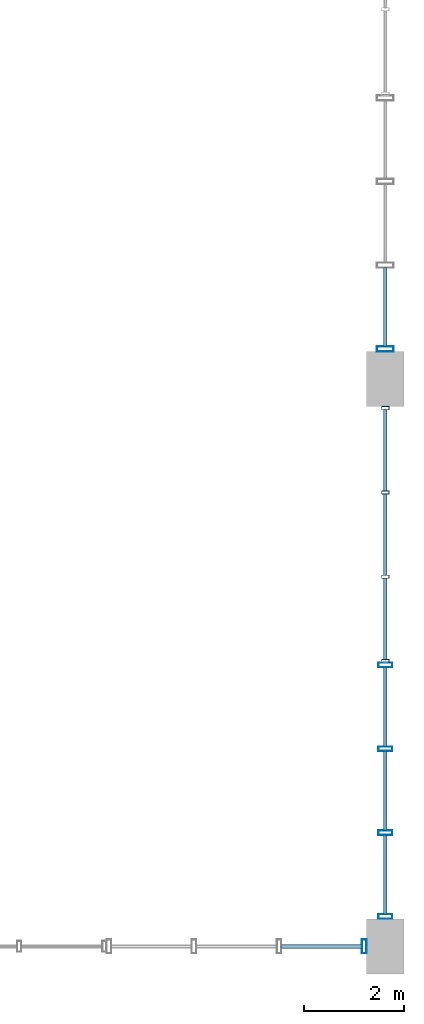
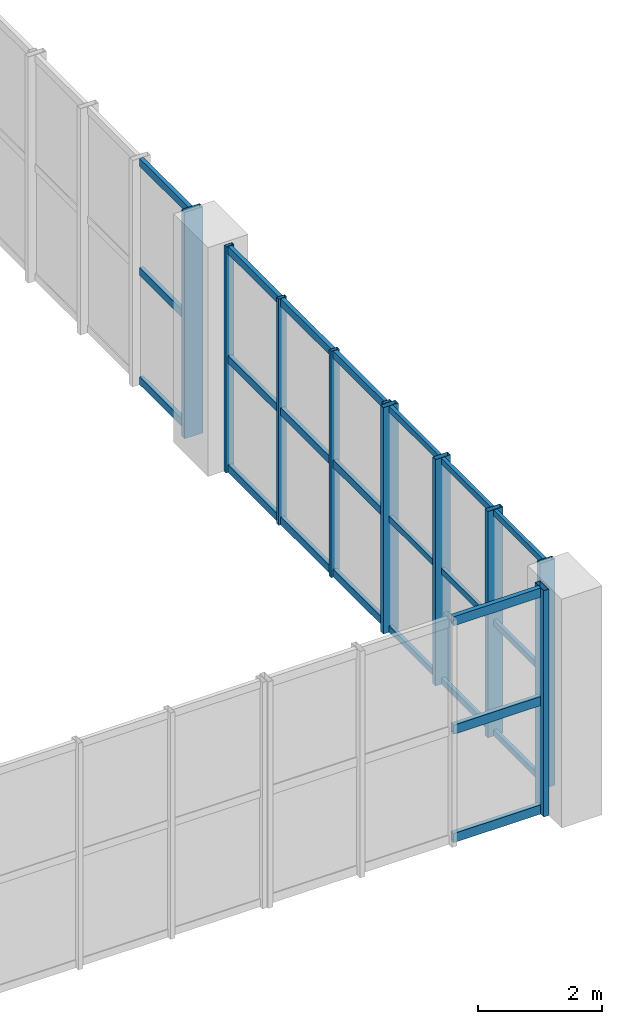
# One storey, part 21 of 48: 34 members, 4 elements without a shape of their own.
"""IFC4 building model written with IfcOpenShell, lengths in metres."""

import ifcopenshell
import ifcopenshell.guid

model = None  # the IFC model being written
_history = None  # IfcOwnerHistory: only IFC2X3 demands one
_inside = {}  # id of a spatial element -> (the spatial element, [elements in it])
_under = {}  # id of a project, library or spatial element -> (it, [spatial elements below it])
_declared = {}  # id of a project -> (the project, [libraries it declares])
_typed = {}  # id of a type object -> (the type object, [elements of that type])
_made_of = {}  # id of a material, layer set ... -> (it, [elements and type objects made of it])


def new_model(schema):
    """Start an empty IFC model of exactly this schema.

    Asked for "IFC4X3", IfcOpenShell would pick the latest addendum, in which some entities
    have other attributes; the version numbers below select the first issue.
    IFC2X3 requires an IfcOwnerHistory on every rooted entity: one is made here for all.
    """
    global model, _history
    if schema == "IFC4X3":
        model = ifcopenshell.file(schema_version=(4, 3, 0, 0))
    else:
        model = ifcopenshell.file(schema=schema)
    _inside.clear()
    _under.clear()
    _declared.clear()
    _typed.clear()
    _made_of.clear()
    _history = None
    if model.schema == "IFC2X3":
        org = make("IfcOrganization", Name="unknown")
        user = make(
            "IfcPersonAndOrganization",
            ThePerson=make("IfcPerson", FamilyName="unknown"),
            TheOrganization=org,
        )
        app = make(
            "IfcApplication",
            ApplicationDeveloper=org,
            Version="unknown",
            ApplicationFullName="unknown",
            ApplicationIdentifier="unknown",
        )
        _history = make(
            "IfcOwnerHistory",
            OwningUser=user,
            OwningApplication=app,
            ChangeAction="ADDED",
            CreationDate=0,
        )
    return model


def make(cls, **values):
    """One entity of the class cls with the attributes given. An attribute that is None is left unset."""
    return model.create_entity(
        cls, **{name: value for name, value in values.items() if value is not None}
    )


def rooted(cls, **values):
    """An entity with a GlobalId (a new one), such as an element, a storey or a relation."""
    return make(cls, GlobalId=ifcopenshell.guid.new(), OwnerHistory=_history, **values)


def si_unit(unit_type, name, prefix=None):
    """IfcSIUnit, for example si_unit("LENGTHUNIT", "METRE", prefix="MILLI")."""
    return make("IfcSIUnit", UnitType=unit_type, Prefix=prefix, Name=name)


def assignment(units):
    """IfcUnitAssignment: the units of a project."""
    return None if units is None else make("IfcUnitAssignment", Units=units)


def point(xyz):
    """IfcCartesianPoint."""
    return None if xyz is None else make("IfcCartesianPoint", Coordinates=xyz)


def direction(xyz):
    """IfcDirection."""
    return None if xyz is None else make("IfcDirection", DirectionRatios=xyz)


def frame(location, z_axis=None, x_axis=None):
    """IfcAxis2Placement3D, a coordinate frame: its origin and axes. An axis left out is left unset."""
    return make(
        "IfcAxis2Placement3D",
        Location=point(location),
        Axis=direction(z_axis),
        RefDirection=direction(x_axis),
    )


def frame_2d(location, x_axis=None):
    """IfcAxis2Placement2D, a coordinate frame in the plane: its origin and x axis."""
    return make(
        "IfcAxis2Placement2D", Location=point(location), RefDirection=direction(x_axis)
    )


def origin():
    """The frame at (0, 0, 0) with its axes left unset."""
    return frame((0.0, 0.0, 0.0))


def origin_2d():
    """The frame at (0, 0) in the plane with its x axis left unset."""
    return frame_2d((0.0, 0.0))


def place(relative_to, where):
    """IfcLocalPlacement: puts the frame where relative to a parent placement (None: the world)."""
    return make(
        "IfcLocalPlacement", PlacementRelTo=relative_to, RelativePlacement=where
    )


def context(
    kind, dimensions, precision=None, world=None, true_north=None, identifier=None
):
    """IfcGeometricRepresentationContext, for example the 3D "Model" context."""
    return make(
        "IfcGeometricRepresentationContext",
        ContextIdentifier=identifier,
        ContextType=kind,
        CoordinateSpaceDimension=dimensions,
        Precision=precision,
        WorldCoordinateSystem=world,
        TrueNorth=true_north,
    )


def subcontext(parent, identifier, kind, view, scale=None):
    """IfcGeometricRepresentationSubContext, for example "Body" below "Model"."""
    return make(
        "IfcGeometricRepresentationSubContext",
        ContextIdentifier=identifier,
        ContextType=kind,
        ParentContext=parent,
        TargetScale=scale,
        TargetView=view,
    )


def project(units=None, contexts=None):
    """IfcProject with its units and contexts."""
    return rooted(
        "IfcProject",
        Name="project",
        RepresentationContexts=contexts,
        UnitsInContext=assignment(units),
    )


def spatial(cls, under=None, at=None, **own):
    """A site, building, storey or space (cls), placed at a placement, below another one or the project."""
    s = rooted(cls, ObjectPlacement=at, **own)
    if under is not None:
        _under.setdefault(under.id(), (under, []))[1].append(s)
    return s


def profile(cls, at=None, kind="AREA", **sizes):
    """A parametric profile (cls). Its sizes go by their IFC names, for example OverallWidth=200.0."""
    return make(cls, ProfileType=kind, Position=at, **sizes)


def hollow_rectangle(**sizes):
    """IfcRectangleHollowProfileDef."""
    return profile("IfcRectangleHollowProfileDef", **sizes)


def extrude(swept, where, along, depth):
    """IfcExtrudedAreaSolid: the profile swept, set in the frame where, extruded along a direction by depth."""
    return make(
        "IfcExtrudedAreaSolid",
        SweptArea=swept,
        Position=where,
        ExtrudedDirection=direction(along),
        Depth=depth,
    )


def shape(context_of_items, identifier, shape_type, items):
    """IfcShapeRepresentation: the items that make up one representation, for example the "Body"."""
    return make(
        "IfcShapeRepresentation",
        ContextOfItems=context_of_items,
        RepresentationIdentifier=identifier,
        RepresentationType=shape_type,
        Items=items,
    )


def material(Name=None, Category=None):
    """IfcMaterial."""
    return make("IfcMaterial", Name=Name, Category=Category)


def layer(
    of_material, thickness, ventilated=None, Name=None, Category=None, Priority=None
):
    """IfcMaterialLayer: one layer of a wall or slab, of a material (None: an air gap)."""
    return make(
        "IfcMaterialLayer",
        Material=of_material,
        LayerThickness=thickness,
        IsVentilated=ventilated,
        Name=Name,
        Category=Category,
        Priority=Priority,
    )


def layer_set(layers, Name=None):
    """IfcMaterialLayerSet."""
    return make("IfcMaterialLayerSet", MaterialLayers=layers, LayerSetName=Name)


def material_profile(
    of_material, cross_section, Name=None, Category=None, Priority=None
):
    """IfcMaterialProfile: a cross section and its material."""
    return make(
        "IfcMaterialProfile",
        Name=Name,
        Material=of_material,
        Profile=cross_section,
        Priority=Priority,
        Category=Category,
    )


def profile_set(profiles, Name=None, composite=None):
    """IfcMaterialProfileSet."""
    return make(
        "IfcMaterialProfileSet",
        Name=Name,
        MaterialProfiles=profiles,
        CompositeProfile=composite,
    )


def made_of(thing, what):
    """Note that an element or type object is made of a material, layer set ...; save() writes the relation."""
    if what is not None:
        _made_of.setdefault(what.id(), (what, []))[1].append(thing)
    return thing


def type_object(cls, material=None, **own):
    """A type object (cls), such as IfcWallType, which elements share."""
    return made_of(rooted(cls, **own), material)


def element(
    cls,
    number,
    at=None,
    inside=None,
    cuts=None,
    type_object=None,
    material=None,
    context=None,
    identifier="Body",
    shape_type=None,
    held_by="IfcProductDefinitionShape",
    body=None,
    shapes=None,
    **own,
):
    """One element of the class cls, such as IfcWall. Its Tag is "e" and its number.

    at: its placement. inside: the storey or other place that contains it. cuts: it is an
    opening in that element (IfcRelVoidsElement). A single representation is given by context,
    identifier, shape_type and body (its items); several are given by shapes. held_by: the class
    of the entity that holds the representations. save() writes the other relations.
    """
    e = rooted(cls, Tag="e%d" % number, ObjectPlacement=at, **own)
    if body is not None:
        shapes = [shape(context, identifier, shape_type, body)]
    if shapes is not None:
        e.Representation = make(held_by, Representations=shapes)
    if inside is not None:
        _inside.setdefault(inside.id(), (inside, []))[1].append(e)
    if cuts is not None:
        rooted(
            "IfcRelVoidsElement", RelatingBuildingElement=cuts, RelatedOpeningElement=e
        )
    if type_object is not None:
        _typed.setdefault(type_object.id(), (type_object, []))[1].append(e)
    return made_of(e, material)


def aggregate(whole, parts):
    """IfcRelAggregates: a whole, such as a stair, and the parts it consists of."""
    return rooted("IfcRelAggregates", RelatingObject=whole, RelatedObjects=parts)


def save(model, path):
    """Write the relations noted so far, then the file.

    IfcRelAggregates (storeys below a building ...), IfcRelContainedInSpatialStructure (elements
    in a storey), IfcRelDefinesByType, IfcRelAssociatesMaterial and IfcRelDeclares: one each for
    every whole, place, type object, material and project.
    """
    for whole, parts in _under.values():
        aggregate(whole, parts)
    for where, things in _inside.values():
        rooted(
            "IfcRelContainedInSpatialStructure",
            RelatedElements=things,
            RelatingStructure=where,
        )
    for kind, things in _typed.values():
        rooted("IfcRelDefinesByType", RelatedObjects=things, RelatingType=kind)
    for what, things in _made_of.values():
        rooted("IfcRelAssociatesMaterial", RelatedObjects=things, RelatingMaterial=what)
    for by, libraries in _declared.values():
        rooted("IfcRelDeclares", RelatingContext=by, RelatedDefinitions=libraries)
    model.write(path)


model = new_model("IFC4")

# Units and contexts
model_context = context("Model", 3, precision=1e-05, world=origin(), true_north=direction((0.0, 1.0)))
body_context = subcontext(model_context, "Body", "Model", "MODEL_VIEW")
ifc_project = project(units=[si_unit("LENGTHUNIT", "METRE"), si_unit("AREAUNIT", "SQUARE_METRE"), si_unit("VOLUMEUNIT", "CUBIC_METRE"), si_unit("PLANEANGLEUNIT", "RADIAN"), si_unit("MASSUNIT", "GRAM", prefix="KILO"), si_unit("POWERUNIT", "WATT"), si_unit("THERMODYNAMICTEMPERATUREUNIT", "KELVIN")], contexts=[model_context])

# Site, building, storey
site_placement = place(None, origin())
site = spatial("IfcSite", under=ifc_project, at=site_placement, CompositionType="ELEMENT")
building_placement = place(site_placement, origin())
building = spatial("IfcBuilding", under=site, at=building_placement, Name="Kelmbourne Parkland Aquatics Centre", CompositionType="ELEMENT")
storey_placement = place(building_placement, frame((0.0, 0.0, 14.699951171875)))
storey = spatial("IfcBuildingStorey", under=building, at=storey_placement, Name="L03", CompositionType="ELEMENT", Elevation=14.699951171875)

# Curtain wall, members
ifc_material = material(Name="Thermally broken anodised aluminium framing", Category="aluminium")
ifc_layer_1 = layer(ifc_material, 0.179931640625)
ifc_layer_set_1 = layer_set([ifc_layer_1], Name="Thermally broken anodised aluminium framing")
curtain_wall_type_1 = type_object("IfcCurtainWallType", Name="CW-10", PredefinedType="NOTDEFINED", material=ifc_layer_set_1)
curtain_wall_1_placement = place(storey_placement, origin())
curtain_wall_1 = element("IfcCurtainWall", 1, at=curtain_wall_1_placement, inside=storey, type_object=curtain_wall_type_1, Name="Wave-hall clerestory curtain wall CW-L03-010", PredefinedType="NOTDEFINED")
ifc_material_profile_1 = material_profile(ifc_material, hollow_rectangle(XDim=0.06494140625, YDim=0.14990234375, WallThickness=0.00390625, at=origin_2d()), Name="CW-M 65x150")
ifc_profile_set_1 = profile_set([ifc_material_profile_1], Name="Thermally broken anodised aluminium framing")
member_type_1 = type_object("IfcMemberType", Name="MB-MUL-1", PredefinedType="MULLION", material=ifc_profile_set_1)
member_1_placement = place(storey_placement, frame((175.199951171875, 6.532470703125, 0.0), z_axis=(0.0, 0.0, 1.0), x_axis=(0.0, 1.0, 0.0)))
member_1 = element("IfcMember", 2, at=member_1_placement, type_object=member_type_1, Name="CW-L03-010 mullion 0", PredefinedType="MULLION", context=body_context, shape_type="SweptSolid", body=[
    extrude(hollow_rectangle(XDim=0.06494140625, YDim=0.14990234375, WallThickness=0.00390625, at=origin_2d()), origin(), (0.0, 0.0, 1.0), 4.449951171875),
])
member_2_placement = place(storey_placement, frame((175.199951171875, 8.226806640625, 0.0), z_axis=(0.0, 0.0, 1.0), x_axis=(0.0, 1.0, 0.0)))
member_2 = element("IfcMember", 3, at=member_2_placement, type_object=member_type_1, Name="CW-L03-010 mullion 1", PredefinedType="MULLION", context=body_context, shape_type="SweptSolid", body=[
    extrude(hollow_rectangle(XDim=0.06494140625, YDim=0.14990234375, WallThickness=0.00390625, at=origin_2d()), origin(), (0.0, 0.0, 1.0), 4.449951171875),
])
member_3_placement = place(storey_placement, frame((175.199951171875, 9.921142578125, 0.0), z_axis=(0.0, 0.0, 1.0), x_axis=(0.0, 1.0, 0.0)))
member_3 = element("IfcMember", 4, at=member_3_placement, type_object=member_type_1, Name="CW-L03-010 mullion 2", PredefinedType="MULLION", context=body_context, shape_type="SweptSolid", body=[
    extrude(hollow_rectangle(XDim=0.06494140625, YDim=0.14990234375, WallThickness=0.00390625, at=origin_2d()), origin(), (0.0, 0.0, 1.0), 4.449951171875),
])
member_4_placement = place(storey_placement, frame((175.199951171875, 11.615478515625, 0.0), z_axis=(0.0, 0.0, 1.0), x_axis=(0.0, 1.0, 0.0)))
member_4 = element("IfcMember", 5, at=member_4_placement, type_object=member_type_1, Name="CW-L03-010 mullion 3", PredefinedType="MULLION", context=body_context, shape_type="SweptSolid", body=[
    extrude(hollow_rectangle(XDim=0.06494140625, YDim=0.14990234375, WallThickness=0.00390625, at=origin_2d()), origin(), (0.0, 0.0, 1.0), 4.449951171875),
])

ifc_layer_2 = layer(ifc_material, 0.179931640625)
ifc_layer_set_2 = layer_set([ifc_layer_2], Name="Thermally broken anodised aluminium framing")
curtain_wall_type_2 = type_object("IfcCurtainWallType", Name="CW-03", PredefinedType="NOTDEFINED", material=ifc_layer_set_2)
curtain_wall_2_placement = place(storey_placement, origin())
curtain_wall_2 = element("IfcCurtainWall", 6, at=curtain_wall_2_placement, inside=storey, type_object=curtain_wall_type_2, Name="Wave-hall clerestory curtain wall CW-L03-003", PredefinedType="NOTDEFINED")
ifc_material_profile_2 = material_profile(ifc_material, hollow_rectangle(XDim=0.094970703125, YDim=0.280029296875, WallThickness=0.005615234375, at=origin_2d()), Name="CW-M 95x280")
ifc_profile_set_2 = profile_set([ifc_material_profile_2], Name="Thermally broken anodised aluminium framing")
member_type_2 = type_object("IfcMemberType", Name="MB-MUL-4", PredefinedType="MULLION", material=ifc_profile_set_2)
member_5_placement = place(storey_placement, frame((175.199951171875, 1.3994140625, 0.0), z_axis=(0.0, 0.0, 1.0), x_axis=(0.0, 1.0, 0.0)))
member_5 = element("IfcMember", 7, at=member_5_placement, type_object=member_type_2, Name="CW-L03-003 mullion 0", PredefinedType="MULLION", context=body_context, shape_type="SweptSolid", body=[
    extrude(hollow_rectangle(XDim=0.094970703125, YDim=0.280029296875, WallThickness=0.005615234375, at=origin_2d()), origin(), (0.0, 0.0, 1.0), 4.449951171875),
])
member_6_placement = place(storey_placement, frame((175.199951171875, 3.083740234375, 0.0), z_axis=(0.0, 0.0, 1.0), x_axis=(0.0, 1.0, 0.0)))
member_6 = element("IfcMember", 8, at=member_6_placement, type_object=member_type_2, Name="CW-L03-003 mullion 1", PredefinedType="MULLION", context=body_context, shape_type="SweptSolid", body=[
    extrude(hollow_rectangle(XDim=0.094970703125, YDim=0.280029296875, WallThickness=0.005615234375, at=origin_2d()), origin(), (0.0, 0.0, 1.0), 4.449951171875),
])
member_7_placement = place(storey_placement, frame((175.199951171875, 4.768310546875, 0.0), z_axis=(0.0, 0.0, 1.0), x_axis=(0.0, 1.0, 0.0)))
member_7 = element("IfcMember", 9, at=member_7_placement, type_object=member_type_2, Name="CW-L03-003 mullion 2", PredefinedType="MULLION", context=body_context, shape_type="SweptSolid", body=[
    extrude(hollow_rectangle(XDim=0.094970703125, YDim=0.280029296875, WallThickness=0.005615234375, at=origin_2d()), origin(), (0.0, 0.0, 1.0), 4.449951171875),
])
member_8_placement = place(storey_placement, frame((175.199951171875, 6.452392578125, 0.0), z_axis=(0.0, 0.0, 1.0), x_axis=(0.0, 1.0, 0.0)))
member_8 = element("IfcMember", 10, at=member_8_placement, type_object=member_type_2, Name="CW-L03-003 mullion 3", PredefinedType="MULLION", context=body_context, shape_type="SweptSolid", body=[
    extrude(hollow_rectangle(XDim=0.094970703125, YDim=0.280029296875, WallThickness=0.005615234375, at=origin_2d()), origin(), (0.0, 0.0, 1.0), 4.449951171875),
])

# Curtain wall, member
ifc_layer_3 = layer(ifc_material, 0.179931640625)
ifc_layer_set_3 = layer_set([ifc_layer_3], Name="Thermally broken anodised aluminium framing")
curtain_wall_type_3 = type_object("IfcCurtainWallType", Name="CW-08", PredefinedType="NOTDEFINED", material=ifc_layer_set_3)
curtain_wall_3_placement = place(storey_placement, origin())
curtain_wall_3 = element("IfcCurtainWall", 11, at=curtain_wall_3_placement, inside=storey, type_object=curtain_wall_type_3, Name="Wave-hall clerestory curtain wall CW-L03-128", PredefinedType="NOTDEFINED")
member_9_placement = place(storey_placement, frame((174.775390625, 0.800048828125, 0.0), z_axis=(0.0, 0.0, 1.0), x_axis=(1.0, 0.0, 0.0)))
member_9 = element("IfcMember", 12, at=member_9_placement, type_object=member_type_2, Name="CW-L03-128 mullion 3", PredefinedType="MULLION", context=body_context, shape_type="SweptSolid", body=[
    extrude(hollow_rectangle(XDim=0.094970703125, YDim=0.280029296875, WallThickness=0.005615234375, at=origin_2d()), origin(), (0.0, 0.0, 1.0), 4.449951171875),
])

ifc_layer_4 = layer(ifc_material, 0.179931640625)
ifc_layer_set_4 = layer_set([ifc_layer_4], Name="Thermally broken anodised aluminium framing")
curtain_wall_type_4 = type_object("IfcCurtainWallType", Name="CW-19", PredefinedType="NOTDEFINED", material=ifc_layer_set_4)
curtain_wall_4_placement = place(storey_placement, origin())
curtain_wall_4 = element("IfcCurtainWall", 13, at=curtain_wall_4_placement, inside=storey, type_object=curtain_wall_type_4, Name="Wave-hall clerestory curtain wall CW-L03-019", PredefinedType="NOTDEFINED")
ifc_material_profile_3 = material_profile(ifc_material, hollow_rectangle(XDim=0.10498046875, YDim=0.340087890625, WallThickness=0.006103515625, at=origin_2d()), Name="CW-M 105x340")
ifc_profile_set_3 = profile_set([ifc_material_profile_3], Name="Thermally broken anodised aluminium framing")
member_type_3 = type_object("IfcMemberType", Name="MB-MUL-5", PredefinedType="MULLION", material=ifc_profile_set_3)
member_10_placement = place(storey_placement, frame((175.199951171875, 12.804443359375, 0.0), z_axis=(0.0, 0.0, 1.0), x_axis=(0.0, 1.0, 0.0)))
member_10 = element("IfcMember", 14, at=member_10_placement, type_object=member_type_3, Name="CW-L03-019 mullion 0", PredefinedType="MULLION", context=body_context, shape_type="SweptSolid", body=[
    extrude(hollow_rectangle(XDim=0.10498046875, YDim=0.340087890625, WallThickness=0.006103515625, at=origin_2d()), origin(), (0.0, 0.0, 1.0), 4.449951171875),
])

# Member
ifc_material_profile_4 = material_profile(ifc_material, hollow_rectangle(XDim=0.06494140625, YDim=0.1201171875, WallThickness=0.00341796875, at=origin_2d()), Name="CW-T 65x120")
ifc_profile_set_4 = profile_set([ifc_material_profile_4], Name="Thermally broken anodised aluminium framing")
member_type_4 = type_object("IfcMemberType", Name="MB-TRN-1", PredefinedType="USERDEFINED", material=ifc_profile_set_4)
member_11_placement = place(storey_placement, frame((175.199951171875, 1.443115234375, 0.06298828125), z_axis=(0.0, 1.0, 0.0), x_axis=(-1.0, 0.0, 0.0)))
member_11 = element("IfcMember", 15, at=member_11_placement, type_object=member_type_4, Name="CW-L03-003 transom 0-0", ObjectType="TRANSOM", PredefinedType="USERDEFINED", context=body_context, shape_type="SweptSolid", body=[
    extrude(hollow_rectangle(XDim=0.06494140625, YDim=0.1201171875, WallThickness=0.00341796875, at=origin_2d()), origin(), (0.0, 0.0, 1.0), 1.59716796875),
])

member_12_placement = place(storey_placement, frame((175.199951171875, 3.127197265625, 0.06298828125), z_axis=(0.0, 1.0, 0.0), x_axis=(-1.0, 0.0, 0.0)))
member_12 = element("IfcMember", 16, at=member_12_placement, type_object=member_type_4, Name="CW-L03-003 transom 0-1", ObjectType="TRANSOM", PredefinedType="USERDEFINED", context=body_context, shape_type="SweptSolid", body=[
    extrude(hollow_rectangle(XDim=0.06494140625, YDim=0.1201171875, WallThickness=0.00341796875, at=origin_2d()), origin(), (0.0, 0.0, 1.0), 1.597412109375),
])

member_13_placement = place(storey_placement, frame((175.199951171875, 4.811767578125, 0.06298828125), z_axis=(0.0, 1.0, 0.0), x_axis=(-1.0, 0.0, 0.0)))
member_13 = element("IfcMember", 17, at=member_13_placement, type_object=member_type_4, Name="CW-L03-003 transom 0-2", ObjectType="TRANSOM", PredefinedType="USERDEFINED", context=body_context, shape_type="SweptSolid", body=[
    extrude(hollow_rectangle(XDim=0.06494140625, YDim=0.1201171875, WallThickness=0.00341796875, at=origin_2d()), origin(), (0.0, 0.0, 1.0), 1.59716796875),
])

member_14_placement = place(storey_placement, frame((175.199951171875, 1.443115234375, 2.22509765625), z_axis=(0.0, 1.0, 0.0), x_axis=(-1.0, 0.0, 0.0)))
member_14 = element("IfcMember", 18, at=member_14_placement, type_object=member_type_4, Name="CW-L03-003 transom 1-0", ObjectType="TRANSOM", PredefinedType="USERDEFINED", context=body_context, shape_type="SweptSolid", body=[
    extrude(hollow_rectangle(XDim=0.06494140625, YDim=0.1201171875, WallThickness=0.00341796875, at=origin_2d()), origin(), (0.0, 0.0, 1.0), 1.59716796875),
])

member_15_placement = place(storey_placement, frame((175.199951171875, 3.127197265625, 2.22509765625), z_axis=(0.0, 1.0, 0.0), x_axis=(-1.0, 0.0, 0.0)))
member_15 = element("IfcMember", 19, at=member_15_placement, type_object=member_type_4, Name="CW-L03-003 transom 1-1", ObjectType="TRANSOM", PredefinedType="USERDEFINED", context=body_context, shape_type="SweptSolid", body=[
    extrude(hollow_rectangle(XDim=0.06494140625, YDim=0.1201171875, WallThickness=0.00341796875, at=origin_2d()), origin(), (0.0, 0.0, 1.0), 1.597412109375),
])

member_16_placement = place(storey_placement, frame((175.199951171875, 4.811767578125, 2.22509765625), z_axis=(0.0, 1.0, 0.0), x_axis=(-1.0, 0.0, 0.0)))
member_16 = element("IfcMember", 20, at=member_16_placement, type_object=member_type_4, Name="CW-L03-003 transom 1-2", ObjectType="TRANSOM", PredefinedType="USERDEFINED", context=body_context, shape_type="SweptSolid", body=[
    extrude(hollow_rectangle(XDim=0.06494140625, YDim=0.1201171875, WallThickness=0.00341796875, at=origin_2d()), origin(), (0.0, 0.0, 1.0), 1.59716796875),
])

member_17_placement = place(storey_placement, frame((175.199951171875, 1.443115234375, 4.386962890625), z_axis=(0.0, 1.0, 0.0), x_axis=(-1.0, 0.0, 0.0)))
member_17 = element("IfcMember", 21, at=member_17_placement, type_object=member_type_4, Name="CW-L03-003 transom 2-0", ObjectType="TRANSOM", PredefinedType="USERDEFINED", context=body_context, shape_type="SweptSolid", body=[
    extrude(hollow_rectangle(XDim=0.06494140625, YDim=0.1201171875, WallThickness=0.00341796875, at=origin_2d()), origin(), (0.0, 0.0, 1.0), 1.59716796875),
])

member_18_placement = place(storey_placement, frame((175.199951171875, 3.127197265625, 4.386962890625), z_axis=(0.0, 1.0, 0.0), x_axis=(-1.0, 0.0, 0.0)))
member_18 = element("IfcMember", 22, at=member_18_placement, type_object=member_type_4, Name="CW-L03-003 transom 2-1", ObjectType="TRANSOM", PredefinedType="USERDEFINED", context=body_context, shape_type="SweptSolid", body=[
    extrude(hollow_rectangle(XDim=0.06494140625, YDim=0.1201171875, WallThickness=0.00341796875, at=origin_2d()), origin(), (0.0, 0.0, 1.0), 1.597412109375),
])

member_19_placement = place(storey_placement, frame((175.199951171875, 4.811767578125, 4.386962890625), z_axis=(0.0, 1.0, 0.0), x_axis=(-1.0, 0.0, 0.0)))
member_19 = element("IfcMember", 23, at=member_19_placement, type_object=member_type_4, Name="CW-L03-003 transom 2-2", ObjectType="TRANSOM", PredefinedType="USERDEFINED", context=body_context, shape_type="SweptSolid", body=[
    extrude(hollow_rectangle(XDim=0.06494140625, YDim=0.1201171875, WallThickness=0.00341796875, at=origin_2d()), origin(), (0.0, 0.0, 1.0), 1.59716796875),
])

aggregate(curtain_wall_2, [member_5, member_6, member_7, member_8, member_11, member_12, member_13, member_14, member_15, member_16, member_17, member_18, member_19])

ifc_material_profile_5 = material_profile(ifc_material, hollow_rectangle(XDim=0.074951171875, YDim=0.14990234375, WallThickness=0.00390625, at=origin_2d()), Name="CW-T 75x150")
ifc_profile_set_5 = profile_set([ifc_material_profile_5], Name="Thermally broken anodised aluminium framing")
member_type_5 = type_object("IfcMemberType", Name="MB-TRN-2", PredefinedType="USERDEFINED", material=ifc_profile_set_5)
member_20_placement = place(storey_placement, frame((175.199951171875, 6.56103515625, 0.078125), z_axis=(0.0, 1.0, 0.0), x_axis=(-1.0, 0.0, 0.0)))
member_20 = element("IfcMember", 24, at=member_20_placement, type_object=member_type_5, Name="CW-L03-010 transom 0-0", ObjectType="TRANSOM", PredefinedType="USERDEFINED", context=body_context, shape_type="SweptSolid", body=[
    extrude(hollow_rectangle(XDim=0.074951171875, YDim=0.14990234375, WallThickness=0.00390625, at=origin_2d()), origin(), (0.0, 0.0, 1.0), 1.63720703125),
])

member_21_placement = place(storey_placement, frame((175.199951171875, 8.25537109375, 0.078125), z_axis=(0.0, 1.0, 0.0), x_axis=(-1.0, 0.0, 0.0)))
member_21 = element("IfcMember", 25, at=member_21_placement, type_object=member_type_5, Name="CW-L03-010 transom 0-1", ObjectType="TRANSOM", PredefinedType="USERDEFINED", context=body_context, shape_type="SweptSolid", body=[
    extrude(hollow_rectangle(XDim=0.074951171875, YDim=0.14990234375, WallThickness=0.00390625, at=origin_2d()), origin(), (0.0, 0.0, 1.0), 1.63720703125),
])

member_22_placement = place(storey_placement, frame((175.199951171875, 9.94970703125, 0.078125), z_axis=(0.0, 1.0, 0.0), x_axis=(-1.0, 0.0, 0.0)))
member_22 = element("IfcMember", 26, at=member_22_placement, type_object=member_type_5, Name="CW-L03-010 transom 0-2", ObjectType="TRANSOM", PredefinedType="USERDEFINED", context=body_context, shape_type="SweptSolid", body=[
    extrude(hollow_rectangle(XDim=0.074951171875, YDim=0.14990234375, WallThickness=0.00390625, at=origin_2d()), origin(), (0.0, 0.0, 1.0), 1.63720703125),
])

member_23_placement = place(storey_placement, frame((175.199951171875, 6.56103515625, 2.22509765625), z_axis=(0.0, 1.0, 0.0), x_axis=(-1.0, 0.0, 0.0)))
member_23 = element("IfcMember", 27, at=member_23_placement, type_object=member_type_5, Name="CW-L03-010 transom 1-0", ObjectType="TRANSOM", PredefinedType="USERDEFINED", context=body_context, shape_type="SweptSolid", body=[
    extrude(hollow_rectangle(XDim=0.074951171875, YDim=0.14990234375, WallThickness=0.00390625, at=origin_2d()), origin(), (0.0, 0.0, 1.0), 1.63720703125),
])

member_24_placement = place(storey_placement, frame((175.199951171875, 8.25537109375, 2.22509765625), z_axis=(0.0, 1.0, 0.0), x_axis=(-1.0, 0.0, 0.0)))
member_24 = element("IfcMember", 28, at=member_24_placement, type_object=member_type_5, Name="CW-L03-010 transom 1-1", ObjectType="TRANSOM", PredefinedType="USERDEFINED", context=body_context, shape_type="SweptSolid", body=[
    extrude(hollow_rectangle(XDim=0.074951171875, YDim=0.14990234375, WallThickness=0.00390625, at=origin_2d()), origin(), (0.0, 0.0, 1.0), 1.63720703125),
])

member_25_placement = place(storey_placement, frame((175.199951171875, 9.94970703125, 2.22509765625), z_axis=(0.0, 1.0, 0.0), x_axis=(-1.0, 0.0, 0.0)))
member_25 = element("IfcMember", 29, at=member_25_placement, type_object=member_type_5, Name="CW-L03-010 transom 1-2", ObjectType="TRANSOM", PredefinedType="USERDEFINED", context=body_context, shape_type="SweptSolid", body=[
    extrude(hollow_rectangle(XDim=0.074951171875, YDim=0.14990234375, WallThickness=0.00390625, at=origin_2d()), origin(), (0.0, 0.0, 1.0), 1.63720703125),
])

member_26_placement = place(storey_placement, frame((175.199951171875, 6.56103515625, 4.3720703125), z_axis=(0.0, 1.0, 0.0), x_axis=(-1.0, 0.0, 0.0)))
member_26 = element("IfcMember", 30, at=member_26_placement, type_object=member_type_5, Name="CW-L03-010 transom 2-0", ObjectType="TRANSOM", PredefinedType="USERDEFINED", context=body_context, shape_type="SweptSolid", body=[
    extrude(hollow_rectangle(XDim=0.074951171875, YDim=0.14990234375, WallThickness=0.00390625, at=origin_2d()), origin(), (0.0, 0.0, 1.0), 1.63720703125),
])

member_27_placement = place(storey_placement, frame((175.199951171875, 8.25537109375, 4.3720703125), z_axis=(0.0, 1.0, 0.0), x_axis=(-1.0, 0.0, 0.0)))
member_27 = element("IfcMember", 31, at=member_27_placement, type_object=member_type_5, Name="CW-L03-010 transom 2-1", ObjectType="TRANSOM", PredefinedType="USERDEFINED", context=body_context, shape_type="SweptSolid", body=[
    extrude(hollow_rectangle(XDim=0.074951171875, YDim=0.14990234375, WallThickness=0.00390625, at=origin_2d()), origin(), (0.0, 0.0, 1.0), 1.63720703125),
])

member_28_placement = place(storey_placement, frame((175.199951171875, 9.94970703125, 4.3720703125), z_axis=(0.0, 1.0, 0.0), x_axis=(-1.0, 0.0, 0.0)))
member_28 = element("IfcMember", 32, at=member_28_placement, type_object=member_type_5, Name="CW-L03-010 transom 2-2", ObjectType="TRANSOM", PredefinedType="USERDEFINED", context=body_context, shape_type="SweptSolid", body=[
    extrude(hollow_rectangle(XDim=0.074951171875, YDim=0.14990234375, WallThickness=0.00390625, at=origin_2d()), origin(), (0.0, 0.0, 1.0), 1.63720703125),
])

aggregate(curtain_wall_1, [member_1, member_2, member_3, member_4, member_20, member_21, member_22, member_23, member_24, member_25, member_26, member_27, member_28])

member_29_placement = place(storey_placement, frame((175.199951171875, 12.85302734375, 0.078125), z_axis=(0.0, 1.0, 0.0), x_axis=(-1.0, 0.0, 0.0)))
member_29 = element("IfcMember", 33, at=member_29_placement, type_object=member_type_5, Name="CW-L03-019 transom 0-0", ObjectType="TRANSOM", PredefinedType="USERDEFINED", context=body_context, shape_type="SweptSolid", body=[
    extrude(hollow_rectangle(XDim=0.074951171875, YDim=0.14990234375, WallThickness=0.00390625, at=origin_2d()), origin(), (0.0, 0.0, 1.0), 1.583984375),
])

member_30_placement = place(storey_placement, frame((175.199951171875, 12.85302734375, 2.22509765625), z_axis=(0.0, 1.0, 0.0), x_axis=(-1.0, 0.0, 0.0)))
member_30 = element("IfcMember", 34, at=member_30_placement, type_object=member_type_5, Name="CW-L03-019 transom 1-0", ObjectType="TRANSOM", PredefinedType="USERDEFINED", context=body_context, shape_type="SweptSolid", body=[
    extrude(hollow_rectangle(XDim=0.074951171875, YDim=0.14990234375, WallThickness=0.00390625, at=origin_2d()), origin(), (0.0, 0.0, 1.0), 1.583984375),
])

member_31_placement = place(storey_placement, frame((175.199951171875, 12.85302734375, 4.3720703125), z_axis=(0.0, 1.0, 0.0), x_axis=(-1.0, 0.0, 0.0)))
member_31 = element("IfcMember", 35, at=member_31_placement, type_object=member_type_5, Name="CW-L03-019 transom 2-0", ObjectType="TRANSOM", PredefinedType="USERDEFINED", context=body_context, shape_type="SweptSolid", body=[
    extrude(hollow_rectangle(XDim=0.074951171875, YDim=0.14990234375, WallThickness=0.00390625, at=origin_2d()), origin(), (0.0, 0.0, 1.0), 1.583984375),
])

aggregate(curtain_wall_4, [member_10, member_29, member_30, member_31])

ifc_material_profile_6 = material_profile(ifc_material, hollow_rectangle(XDim=0.0849609375, YDim=0.179931640625, WallThickness=0.00439453125, at=origin_2d()), Name="CW-T 85x180")
ifc_profile_set_6 = profile_set([ifc_material_profile_6], Name="Thermally broken anodised aluminium framing")
member_type_6 = type_object("IfcMemberType", Name="MB-TRN-3", PredefinedType="USERDEFINED", material=ifc_profile_set_6)
member_32_placement = place(storey_placement, frame((173.109619140625, 0.800048828125, 0.093017578125), z_axis=(1.0, 0.0, 0.0), x_axis=(0.0, 1.0, 0.0)))
member_32 = element("IfcMember", 36, at=member_32_placement, type_object=member_type_6, Name="CW-L03-128 transom 0-2", ObjectType="TRANSOM", PredefinedType="USERDEFINED", context=body_context, shape_type="SweptSolid", body=[
    extrude(hollow_rectangle(XDim=0.0849609375, YDim=0.179931640625, WallThickness=0.00439453125, at=origin_2d()), origin(), (0.0, 0.0, 1.0), 1.622314453125),
])

member_33_placement = place(storey_placement, frame((173.109619140625, 0.800048828125, 2.22509765625), z_axis=(1.0, 0.0, 0.0), x_axis=(0.0, 1.0, 0.0)))
member_33 = element("IfcMember", 37, at=member_33_placement, type_object=member_type_6, Name="CW-L03-128 transom 1-2", ObjectType="TRANSOM", PredefinedType="USERDEFINED", context=body_context, shape_type="SweptSolid", body=[
    extrude(hollow_rectangle(XDim=0.0849609375, YDim=0.179931640625, WallThickness=0.00439453125, at=origin_2d()), origin(), (0.0, 0.0, 1.0), 1.622314453125),
])

member_34_placement = place(storey_placement, frame((173.109619140625, 0.800048828125, 4.35693359375), z_axis=(1.0, 0.0, 0.0), x_axis=(0.0, 1.0, 0.0)))
member_34 = element("IfcMember", 38, at=member_34_placement, type_object=member_type_6, Name="CW-L03-128 transom 2-2", ObjectType="TRANSOM", PredefinedType="USERDEFINED", context=body_context, shape_type="SweptSolid", body=[
    extrude(hollow_rectangle(XDim=0.0849609375, YDim=0.179931640625, WallThickness=0.00439453125, at=origin_2d()), origin(), (0.0, 0.0, 1.0), 1.622314453125),
])

aggregate(curtain_wall_3, [member_9, member_32, member_33, member_34])

save(model, "model.ifc")
